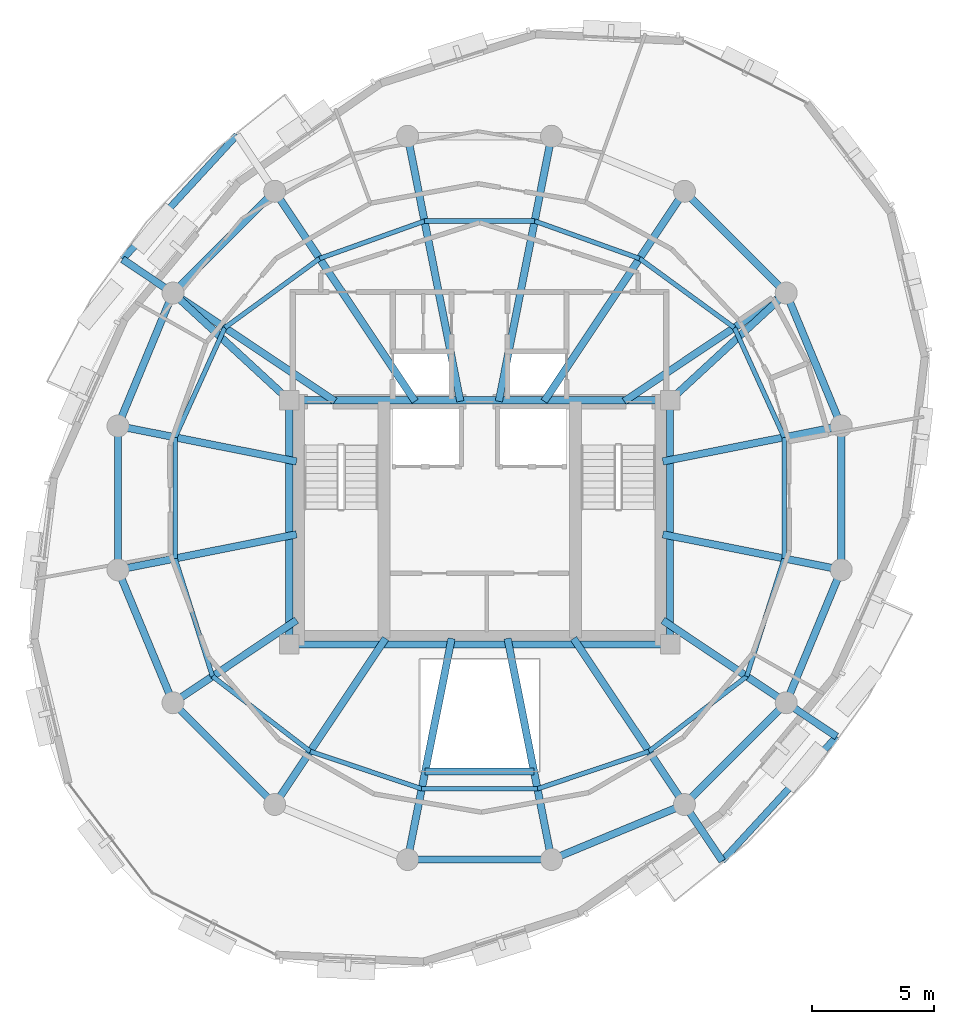
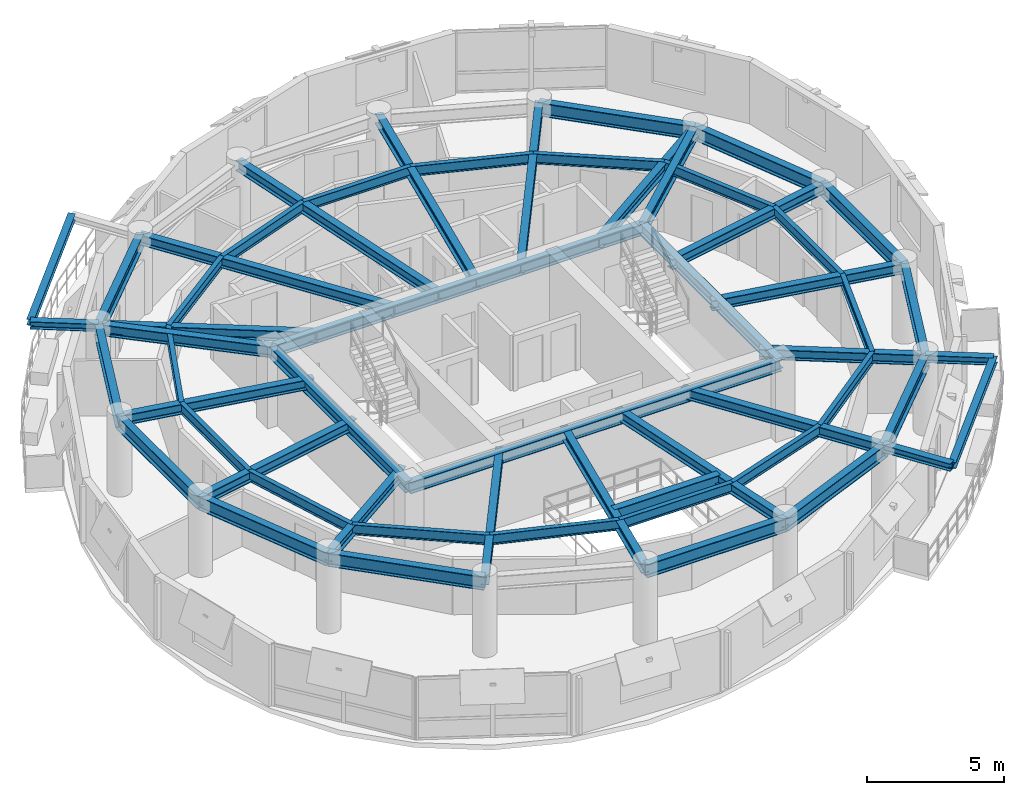
# One storey, part 3 of 11: 56 beams.
"""IFC4 building model written with IfcOpenShell, lengths in metres."""

from ifc_helpers import new_model, si_unit, direction, frame, origin, origin_2d, place, context, subcontext, project, spatial, i_section, extrude, material, material_profile, profile_set, type_object, element, save


model = new_model("IFC4")

# Units and contexts
model_context = context("Model", 3, precision=1e-05, world=origin(), true_north=direction((0.0, 1.0)))
body_context = subcontext(model_context, "Body", "Model", "MODEL_VIEW")
ifc_project = project(units=[si_unit("LENGTHUNIT", "METRE"), si_unit("AREAUNIT", "SQUARE_METRE"), si_unit("VOLUMEUNIT", "CUBIC_METRE"), si_unit("PLANEANGLEUNIT", "RADIAN"), si_unit("MASSUNIT", "GRAM", prefix="KILO"), si_unit("THERMODYNAMICTEMPERATUREUNIT", "KELVIN"), si_unit("POWERUNIT", "WATT")], contexts=[model_context])

# Site, building, storey
site_placement = place(None, origin())
site = spatial("IfcSite", under=ifc_project, at=site_placement, CompositionType="ELEMENT")
building_placement = place(site_placement, origin())
building = spatial("IfcBuilding", under=site, at=building_placement, Name="Ocrelia Relay Tower", CompositionType="ELEMENT")
storey_placement = place(building_placement, frame((0.0, 0.0, 241.199951171875)))
storey = spatial("IfcBuildingStorey", under=building, at=storey_placement, Name="L59", CompositionType="ELEMENT", Elevation=241.199951171875)

# Beams
ifc_material = material(Name="Steel S355", Category="steel")
ifc_material_profile_1 = material_profile(ifc_material, i_section(OverallWidth=0.280029296875, OverallDepth=0.27001953125, WebThickness=0.008056640625, FlangeThickness=0.012939453125, FilletRadius=0.02392578125, at=origin_2d()), Name="HEA 280")
ifc_profile_set_1 = profile_set([ifc_material_profile_1], Name="Steel S355")
beam_type_1 = type_object("IfcBeamType", Name="BM-HEA280", PredefinedType="BEAM", material=ifc_profile_set_1)
for number, where, z_axis, x_axis, name in (
    (1, (24.066162109375, 40.8671875, 3.2451171875), (-0.677058058221, -0.735929606551, 0.0), (0.735929606551, -0.677058058221, 0.0), "L60 Balcony Edge Trimmer Beam B1"),
    (2, (43.933837890625, 11.1328125, 3.2451171875), (0.677058058221, 0.735929606551, 0.0), (-0.735929606551, 0.677058058221, 0.0), "L60 Balcony Edge Trimmer Beam B2"),
):
    element("IfcBeam", number, at=place(storey_placement, frame(where, z_axis=z_axis, x_axis=x_axis)), inside=storey, type_object=beam_type_1, Name=name, PredefinedType="BEAM", context=body_context, shape_type="SweptSolid", body=[
        extrude(i_section(OverallWidth=0.280029296875, OverallDepth=0.27001953125, WebThickness=0.008056640625, FlangeThickness=0.012939453125, FilletRadius=0.02392578125, at=origin_2d()), origin(), (0.0, 0.0, 1.0), 6.925537109375),
    ])
ifc_material_profile_2 = material_profile(ifc_material, i_section(OverallWidth=0.300048828125, OverallDepth=0.330078125, WebThickness=0.009521484375, FlangeThickness=0.0166015625, FilletRadius=0.027099609375, at=origin_2d()), Name="HEA 340")
ifc_profile_set_2 = profile_set([ifc_material_profile_2], Name="Steel S355")
beam_type_2 = type_object("IfcBeamType", Name="BM-HEA340", PredefinedType="BEAM", material=ifc_profile_set_2)
beam_1_placement = place(storey_placement, frame((21.44482421875, 34.38916015625, 3.215087890625), z_axis=(-0.831506115499, 0.55551559824, 0.0), x_axis=(-0.55551559824, -0.831506115499, 0.0)))
element("IfcBeam", 3, at=beam_1_placement, inside=storey, type_object=beam_type_2, Name="L60 Balcony Cantilever Beam B1-2", PredefinedType="BEAM", context=body_context, shape_type="SweptSolid", body=[
    extrude(i_section(OverallWidth=0.300048828125, OverallDepth=0.330078125, WebThickness=0.009521484375, FlangeThickness=0.0166015625, FilletRadius=0.027099609375, at=origin_2d()), origin(), (0.0, 0.0, 1.0), 2.486572265625),
])
beam_2_placement = place(storey_placement, frame((42.38916015625, 13.44482421875, 3.215087890625), z_axis=(0.555530672833, -0.831496044213, 0.0), x_axis=(0.831496044213, 0.555530672833, 0.0)))
element("IfcBeam", 4, at=beam_2_placement, inside=storey, type_object=beam_type_2, Name="L60 Balcony Cantilever Beam B2-1", PredefinedType="BEAM", context=body_context, shape_type="SweptSolid", body=[
    extrude(i_section(OverallWidth=0.300048828125, OverallDepth=0.330078125, WebThickness=0.009521484375, FlangeThickness=0.0166015625, FilletRadius=0.027099609375, at=origin_2d()), origin(), (0.0, 0.0, 1.0), 2.780517578125),
])
beam_3_placement = place(storey_placement, frame((46.55517578125, 17.61083984375, 3.215087890625), z_axis=(0.831506115499, -0.55551559824, 0.0), x_axis=(0.55551559824, 0.831506115499, 0.0)))
element("IfcBeam", 5, at=beam_3_placement, inside=storey, type_object=beam_type_2, Name="L60 Balcony Cantilever Beam B2-2", PredefinedType="BEAM", context=body_context, shape_type="SweptSolid", body=[
    extrude(i_section(OverallWidth=0.300048828125, OverallDepth=0.330078125, WebThickness=0.009521484375, FlangeThickness=0.0166015625, FilletRadius=0.027099609375, at=origin_2d()), origin(), (0.0, 0.0, 1.0), 2.486572265625),
])
ifc_material_profile_3 = material_profile(ifc_material, i_section(OverallWidth=0.300048828125, OverallDepth=0.449951171875, WebThickness=0.013916015625, FlangeThickness=0.02587890625, FilletRadius=0.027099609375, at=origin_2d()), Name="HEB 450")
ifc_profile_set_3 = profile_set([ifc_material_profile_3], Name="Steel S355")
beam_type_3 = type_object("IfcBeamType", Name="BM-HEB450", PredefinedType="BEAM", material=ifc_profile_set_3)
beam_4_placement = place(storey_placement, frame((48.809814453125, 28.94580078125, 3.155029296875), z_axis=(-0.980789400571, -0.195069607393, 0.0), x_axis=(0.195069607393, -0.980789400571, 0.0)))
element("IfcBeam", 6, at=beam_4_placement, inside=storey, type_object=beam_type_3, Name="L59 Radial Floor Girder R01", PredefinedType="BEAM", context=body_context, shape_type="SweptSolid", body=[
    extrude(i_section(OverallWidth=0.300048828125, OverallDepth=0.449951171875, WebThickness=0.013916015625, FlangeThickness=0.02587890625, FilletRadius=0.027099609375, at=origin_2d()), origin(), (0.0, 0.0, 1.0), 7.447998046875),
])
beam_5_placement = place(storey_placement, frame((46.55517578125, 34.38916015625, 3.155029296875), z_axis=(-0.83146627118, -0.555575233331, 0.0), x_axis=(0.555575233331, -0.83146627118, 0.0)))
element("IfcBeam", 7, at=beam_5_placement, inside=storey, type_object=beam_type_3, Name="L59 Radial Floor Girder R02", PredefinedType="BEAM", context=body_context, shape_type="SweptSolid", body=[
    extrude(i_section(OverallWidth=0.300048828125, OverallDepth=0.449951171875, WebThickness=0.013916015625, FlangeThickness=0.02587890625, FilletRadius=0.027099609375, at=origin_2d()), origin(), (0.0, 0.0, 1.0), 7.98095703125),
])
beam_6_placement = place(storey_placement, frame((42.38916015625, 38.55517578125, 3.155029296875), z_axis=(-0.555582296999, -0.831461551283, 0.0), x_axis=(0.831461551283, -0.555582296999, 0.0)))
element("IfcBeam", 8, at=beam_6_placement, inside=storey, type_object=beam_type_3, Name="L59 Radial Floor Girder R03", PredefinedType="BEAM", context=body_context, shape_type="SweptSolid", body=[
    extrude(i_section(OverallWidth=0.300048828125, OverallDepth=0.449951171875, WebThickness=0.013916015625, FlangeThickness=0.02587890625, FilletRadius=0.027099609375, at=origin_2d()), origin(), (0.0, 0.0, 1.0), 10.34326171875),
])
for number, where, z_axis, x_axis, name in (
    (9, (36.94580078125, 40.809814453125, 3.155029296875), (-0.195093658495, -0.98078461673, 0.0), (0.98078461673, -0.195093658495, 0.0), "L59 Radial Floor Girder R04"),
    (10, (31.05419921875, 40.809814453125, 3.155029296875), (0.195093658495, -0.98078461673, 0.0), (0.98078461673, 0.195093658495, 0.0), "L59 Radial Floor Girder R05"),
):
    element("IfcBeam", number, at=place(storey_placement, frame(where, z_axis=z_axis, x_axis=x_axis)), inside=storey, type_object=beam_type_3, Name=name, PredefinedType="BEAM", context=body_context, shape_type="SweptSolid", body=[
        extrude(i_section(OverallWidth=0.300048828125, OverallDepth=0.449951171875, WebThickness=0.013916015625, FlangeThickness=0.02587890625, FilletRadius=0.027099609375, at=origin_2d()), origin(), (0.0, 0.0, 1.0), 11.0673828125),
    ])
beam_7_placement = place(storey_placement, frame((25.61083984375, 38.55517578125, 3.155029296875), z_axis=(0.555582296999, -0.831461551283, 0.0), x_axis=(0.831461551283, 0.555582296999, 0.0)))
element("IfcBeam", 11, at=beam_7_placement, inside=storey, type_object=beam_type_3, Name="L59 Radial Floor Girder R06", PredefinedType="BEAM", context=body_context, shape_type="SweptSolid", body=[
    extrude(i_section(OverallWidth=0.300048828125, OverallDepth=0.449951171875, WebThickness=0.013916015625, FlangeThickness=0.02587890625, FilletRadius=0.027099609375, at=origin_2d()), origin(), (0.0, 0.0, 1.0), 10.34326171875),
])
beam_8_placement = place(storey_placement, frame((21.44482421875, 34.38916015625, 3.155029296875), z_axis=(0.83146627118, -0.555575233331, 0.0), x_axis=(0.555575233331, 0.83146627118, 0.0)))
element("IfcBeam", 12, at=beam_8_placement, inside=storey, type_object=beam_type_3, Name="L59 Radial Floor Girder R07", PredefinedType="BEAM", context=body_context, shape_type="SweptSolid", body=[
    extrude(i_section(OverallWidth=0.300048828125, OverallDepth=0.449951171875, WebThickness=0.013916015625, FlangeThickness=0.02587890625, FilletRadius=0.027099609375, at=origin_2d()), origin(), (0.0, 0.0, 1.0), 7.98095703125),
])
for number, where, z_axis, x_axis, name in (
    (13, (19.190185546875, 28.94580078125, 3.155029296875), (0.980789122594, -0.195071005024, 0.0), (0.195071005024, 0.980789122594, 0.0), "L59 Radial Floor Girder R08"),
    (14, (19.190185546875, 23.05419921875, 3.155029296875), (0.980789122594, 0.195071005024, 0.0), (-0.195071005024, 0.980789122594, 0.0), "L59 Radial Floor Girder R09"),
):
    element("IfcBeam", number, at=place(storey_placement, frame(where, z_axis=z_axis, x_axis=x_axis)), inside=storey, type_object=beam_type_3, Name=name, PredefinedType="BEAM", context=body_context, shape_type="SweptSolid", body=[
        extrude(i_section(OverallWidth=0.300048828125, OverallDepth=0.449951171875, WebThickness=0.013916015625, FlangeThickness=0.02587890625, FilletRadius=0.027099609375, at=origin_2d()), origin(), (0.0, 0.0, 1.0), 7.4580078125),
    ])
beam_9_placement = place(storey_placement, frame((21.44482421875, 17.61083984375, 3.155029296875), z_axis=(0.831463505153, 0.555579372906, 0.0), x_axis=(-0.555579372906, 0.831463505153, 0.0)))
element("IfcBeam", 15, at=beam_9_placement, inside=storey, type_object=beam_type_3, Name="L59 Radial Floor Girder R10", PredefinedType="BEAM", context=body_context, shape_type="SweptSolid", body=[
    extrude(i_section(OverallWidth=0.300048828125, OverallDepth=0.449951171875, WebThickness=0.013916015625, FlangeThickness=0.02587890625, FilletRadius=0.027099609375, at=origin_2d()), origin(), (0.0, 0.0, 1.0), 6.085693359375),
])
beam_10_placement = place(storey_placement, frame((25.61083984375, 13.44482421875, 3.155029296875), z_axis=(0.555560991962, 0.831475786906, 0.0), x_axis=(-0.831475786906, 0.555560991962, 0.0)))
element("IfcBeam", 16, at=beam_10_placement, inside=storey, type_object=beam_type_3, Name="L59 Radial Floor Girder R11", PredefinedType="BEAM", context=body_context, shape_type="SweptSolid", body=[
    extrude(i_section(OverallWidth=0.300048828125, OverallDepth=0.449951171875, WebThickness=0.013916015625, FlangeThickness=0.02587890625, FilletRadius=0.027099609375, at=origin_2d()), origin(), (0.0, 0.0, 1.0), 8.178466796875),
])
for number, where, z_axis, x_axis, name in (
    (17, (31.05419921875, 11.190185546875, 3.155029296875), (0.195078600472, 0.98078761189, 0.0), (-0.98078761189, 0.195078600472, 0.0), "L59 Radial Floor Girder R12"),
    (18, (36.94580078125, 11.190185546875, 3.155029296875), (-0.195078600472, 0.98078761189, 0.0), (-0.98078761189, -0.195078600472, 0.0), "L59 Radial Floor Girder R13"),
):
    element("IfcBeam", number, at=place(storey_placement, frame(where, z_axis=z_axis, x_axis=x_axis)), inside=storey, type_object=beam_type_3, Name=name, PredefinedType="BEAM", context=body_context, shape_type="SweptSolid", body=[
        extrude(i_section(OverallWidth=0.300048828125, OverallDepth=0.449951171875, WebThickness=0.013916015625, FlangeThickness=0.02587890625, FilletRadius=0.027099609375, at=origin_2d()), origin(), (0.0, 0.0, 1.0), 9.232421875),
    ])
beam_11_placement = place(storey_placement, frame((42.38916015625, 13.44482421875, 3.155029296875), z_axis=(-0.555560991962, 0.831475786906, 0.0), x_axis=(-0.831475786906, -0.555560991962, 0.0)))
element("IfcBeam", 19, at=beam_11_placement, inside=storey, type_object=beam_type_3, Name="L59 Radial Floor Girder R14", PredefinedType="BEAM", context=body_context, shape_type="SweptSolid", body=[
    extrude(i_section(OverallWidth=0.300048828125, OverallDepth=0.449951171875, WebThickness=0.013916015625, FlangeThickness=0.02587890625, FilletRadius=0.027099609375, at=origin_2d()), origin(), (0.0, 0.0, 1.0), 8.178466796875),
])
beam_12_placement = place(storey_placement, frame((46.55517578125, 17.61083984375, 3.155029296875), z_axis=(-0.831468559595, 0.555571808504, 0.0), x_axis=(-0.555571808504, -0.831468559595, 0.0)))
element("IfcBeam", 20, at=beam_12_placement, inside=storey, type_object=beam_type_3, Name="L59 Radial Floor Girder R15", PredefinedType="BEAM", context=body_context, shape_type="SweptSolid", body=[
    extrude(i_section(OverallWidth=0.300048828125, OverallDepth=0.449951171875, WebThickness=0.013916015625, FlangeThickness=0.02587890625, FilletRadius=0.027099609375, at=origin_2d()), origin(), (0.0, 0.0, 1.0), 6.073974609375),
])
beam_13_placement = place(storey_placement, frame((48.809814453125, 23.05419921875, 3.155029296875), z_axis=(-0.980789400571, 0.195069607393, 0.0), x_axis=(-0.195069607393, -0.980789400571, 0.0)))
element("IfcBeam", 21, at=beam_13_placement, inside=storey, type_object=beam_type_3, Name="L59 Radial Floor Girder R16", PredefinedType="BEAM", context=body_context, shape_type="SweptSolid", body=[
    extrude(i_section(OverallWidth=0.300048828125, OverallDepth=0.449951171875, WebThickness=0.013916015625, FlangeThickness=0.02587890625, FilletRadius=0.027099609375, at=origin_2d()), origin(), (0.0, 0.0, 1.0), 7.447998046875),
])
ifc_material_profile_4 = material_profile(ifc_material, i_section(OverallWidth=0.300048828125, OverallDepth=0.5, WebThickness=0.014404296875, FlangeThickness=0.028076171875, FilletRadius=0.027099609375, at=origin_2d()), Name="HEB 500")
ifc_profile_set_4 = profile_set([ifc_material_profile_4], Name="Steel S355")
beam_type_4 = type_object("IfcBeamType", Name="BM-HEB500", PredefinedType="BEAM", material=ifc_profile_set_4)
for number, where, z_axis, x_axis, name in (
    (22, (26.199951171875, 20.0, 3.130126953125), (1.0, 0.0, 0.0), (0.0, 1.0, 0.0), "L59 Core Pilaster Tie Beam S"),
    (23, (26.199951171875, 30.0, 3.130126953125), (1.0, 0.0, 0.0), (0.0, 1.0, 0.0), "L59 Core Pilaster Tie Beam N"),
):
    element("IfcBeam", number, at=place(storey_placement, frame(where, z_axis=z_axis, x_axis=x_axis)), inside=storey, type_object=beam_type_4, Name=name, PredefinedType="BEAM", context=body_context, shape_type="SweptSolid", body=[
        extrude(i_section(OverallWidth=0.300048828125, OverallDepth=0.5, WebThickness=0.014404296875, FlangeThickness=0.028076171875, FilletRadius=0.027099609375, at=origin_2d()), origin(), (0.0, 0.0, 1.0), 15.60009765625),
    ])
for number, where, z_axis, x_axis, name in (
    (24, (26.199951171875, 20.0, 3.130126953125), (0.0, 1.0, 0.0), (-1.0, 0.0, 0.0), "L59 Core Pilaster Tie Beam W"),
    (25, (41.800048828125, 20.0, 3.130126953125), (0.0, 1.0, 0.0), (-1.0, 0.0, 0.0), "L59 Core Pilaster Tie Beam E"),
):
    element("IfcBeam", number, at=place(storey_placement, frame(where, z_axis=z_axis, x_axis=x_axis)), inside=storey, type_object=beam_type_4, Name=name, PredefinedType="BEAM", context=body_context, shape_type="SweptSolid", body=[
        extrude(i_section(OverallWidth=0.300048828125, OverallDepth=0.5, WebThickness=0.014404296875, FlangeThickness=0.028076171875, FilletRadius=0.027099609375, at=origin_2d()), origin(), (0.0, 0.0, 1.0), 10.0),
    ])
for number, where, z_axis, x_axis, name in (
    (26, (46.55517578125, 34.38916015625, 3.130126953125), (-0.734817908666, -0.678264433023, 0.0), (0.678264433023, -0.734817908666, 0.0), "L59 Core Pilaster Frame Tie Beam PT02"),
    (27, (21.44482421875, 34.38916015625, 3.130126953125), (0.734817908666, -0.678264433023, 0.0), (0.678264433023, 0.734817908666, 0.0), "L59 Core Pilaster Frame Tie Beam PT07"),
):
    element("IfcBeam", number, at=place(storey_placement, frame(where, z_axis=z_axis, x_axis=x_axis)), inside=storey, type_object=beam_type_4, Name=name, PredefinedType="BEAM", context=body_context, shape_type="SweptSolid", body=[
        extrude(i_section(OverallWidth=0.300048828125, OverallDepth=0.5, WebThickness=0.014404296875, FlangeThickness=0.028076171875, FilletRadius=0.027099609375, at=origin_2d()), origin(), (0.0, 0.0, 1.0), 6.47119140625),
    ])
ifc_material_profile_5 = material_profile(ifc_material, i_section(OverallWidth=0.300048828125, OverallDepth=0.550048828125, WebThickness=0.014892578125, FlangeThickness=0.029052734375, FilletRadius=0.027099609375, at=origin_2d()), Name="HEB 550")
ifc_profile_set_5 = profile_set([ifc_material_profile_5], Name="Steel S355")
beam_type_5 = type_object("IfcBeamType", Name="BM-HEB550", PredefinedType="BEAM", material=ifc_profile_set_5)
beam_14_placement = place(storey_placement, frame((31.772216796875, 14.800048828125, 3.10498046875), z_axis=(1.0, 0.0, 0.0), x_axis=(0.0, 1.0, 0.0)))
element("IfcBeam", 28, at=beam_14_placement, inside=storey, type_object=beam_type_5, Name="L59 Atrium South Trimmer Beam", PredefinedType="BEAM", context=body_context, shape_type="SweptSolid", body=[
    extrude(i_section(OverallWidth=0.300048828125, OverallDepth=0.550048828125, WebThickness=0.014892578125, FlangeThickness=0.029052734375, FilletRadius=0.027099609375, at=origin_2d()), origin(), (0.0, 0.0, 1.0), 4.45556640625),
])
ifc_material_profile_6 = material_profile(ifc_material, i_section(OverallWidth=0.300048828125, OverallDepth=0.60009765625, WebThickness=0.015380859375, FlangeThickness=0.030029296875, FilletRadius=0.027099609375, at=origin_2d()), Name="HEB 600")
ifc_profile_set_6 = profile_set([ifc_material_profile_6], Name="Steel S355")
beam_type_6 = type_object("IfcBeamType", Name="BM-HEB600", PredefinedType="BEAM", material=ifc_profile_set_6)
beam_15_placement = place(storey_placement, frame((48.809814453125, 28.94580078125, 3.080078125), z_axis=(-0.382672624084, 0.923884009374, 0.0), x_axis=(-0.923884009374, -0.382672624084, 0.0)))
element("IfcBeam", 29, at=beam_15_placement, inside=storey, type_object=beam_type_6, Name="L59 Perimeter Spandrel Beam S01", PredefinedType="BEAM", context=body_context, shape_type="SweptSolid", body=[
    extrude(i_section(OverallWidth=0.300048828125, OverallDepth=0.60009765625, WebThickness=0.015380859375, FlangeThickness=0.030029296875, FilletRadius=0.027099609375, at=origin_2d()), origin(), (0.0, 0.0, 1.0), 5.891845703125),
])
for number, where, z_axis, x_axis, name in (
    (30, (46.55517578125, 34.38916015625, 3.080078125), (-0.707106781187, 0.707106781187, 0.0), (-0.707106781187, -0.707106781187, 0.0), "L59 Perimeter Spandrel Beam S02"),
    (31, (25.61083984375, 38.55517578125, 3.080078125), (-0.707106781187, -0.707106781187, 0.0), (0.707106781187, -0.707106781187, 0.0), "L59 Perimeter Spandrel Beam S06"),
):
    element("IfcBeam", number, at=place(storey_placement, frame(where, z_axis=z_axis, x_axis=x_axis)), inside=storey, type_object=beam_type_6, Name=name, PredefinedType="BEAM", context=body_context, shape_type="SweptSolid", body=[
        extrude(i_section(OverallWidth=0.300048828125, OverallDepth=0.60009765625, WebThickness=0.015380859375, FlangeThickness=0.030029296875, FilletRadius=0.027099609375, at=origin_2d()), origin(), (0.0, 0.0, 1.0), 5.8916015625),
    ])
beam_16_placement = place(storey_placement, frame((21.44482421875, 34.38916015625, 3.080078125), z_axis=(-0.382672624084, -0.923884009374, 0.0), x_axis=(0.923884009374, -0.382672624084, 0.0)))
element("IfcBeam", 32, at=beam_16_placement, inside=storey, type_object=beam_type_6, Name="L59 Perimeter Spandrel Beam S07", PredefinedType="BEAM", context=body_context, shape_type="SweptSolid", body=[
    extrude(i_section(OverallWidth=0.300048828125, OverallDepth=0.60009765625, WebThickness=0.015380859375, FlangeThickness=0.030029296875, FilletRadius=0.027099609375, at=origin_2d()), origin(), (0.0, 0.0, 1.0), 5.891845703125),
])
beam_17_placement = place(storey_placement, frame((19.190185546875, 28.94580078125, 3.080078125), z_axis=(0.0, -1.0, 0.0), x_axis=(1.0, 0.0, 0.0)))
element("IfcBeam", 33, at=beam_17_placement, inside=storey, type_object=beam_type_6, Name="L59 Perimeter Spandrel Beam S08", PredefinedType="BEAM", context=body_context, shape_type="SweptSolid", body=[
    extrude(i_section(OverallWidth=0.300048828125, OverallDepth=0.60009765625, WebThickness=0.015380859375, FlangeThickness=0.030029296875, FilletRadius=0.027099609375, at=origin_2d()), origin(), (0.0, 0.0, 1.0), 5.8916015625),
])
beam_18_placement = place(storey_placement, frame((19.190185546875, 23.05419921875, 3.080078125), z_axis=(0.382672624084, -0.923884009374, 0.0), x_axis=(0.923884009374, 0.382672624084, 0.0)))
element("IfcBeam", 34, at=beam_18_placement, inside=storey, type_object=beam_type_6, Name="L59 Perimeter Spandrel Beam S09", PredefinedType="BEAM", context=body_context, shape_type="SweptSolid", body=[
    extrude(i_section(OverallWidth=0.300048828125, OverallDepth=0.60009765625, WebThickness=0.015380859375, FlangeThickness=0.030029296875, FilletRadius=0.027099609375, at=origin_2d()), origin(), (0.0, 0.0, 1.0), 5.891845703125),
])
for number, where, z_axis, x_axis, name in (
    (35, (21.44482421875, 17.61083984375, 3.080078125), (0.707106781187, -0.707106781187, 0.0), (0.707106781187, 0.707106781187, 0.0), "L59 Perimeter Spandrel Beam S10"),
    (36, (31.05419921875, 11.190185546875, 3.080078125), (1.0, 0.0, 0.0), (0.0, 1.0, 0.0), "L59 Perimeter Spandrel Beam S12"),
):
    element("IfcBeam", number, at=place(storey_placement, frame(where, z_axis=z_axis, x_axis=x_axis)), inside=storey, type_object=beam_type_6, Name=name, PredefinedType="BEAM", context=body_context, shape_type="SweptSolid", body=[
        extrude(i_section(OverallWidth=0.300048828125, OverallDepth=0.60009765625, WebThickness=0.015380859375, FlangeThickness=0.030029296875, FilletRadius=0.027099609375, at=origin_2d()), origin(), (0.0, 0.0, 1.0), 5.8916015625),
    ])
beam_19_placement = place(storey_placement, frame((36.94580078125, 11.190185546875, 3.080078125), z_axis=(0.923884009374, 0.382672624084, 0.0), x_axis=(-0.382672624084, 0.923884009374, 0.0)))
element("IfcBeam", 37, at=beam_19_placement, inside=storey, type_object=beam_type_6, Name="L59 Perimeter Spandrel Beam S13", PredefinedType="BEAM", context=body_context, shape_type="SweptSolid", body=[
    extrude(i_section(OverallWidth=0.300048828125, OverallDepth=0.60009765625, WebThickness=0.015380859375, FlangeThickness=0.030029296875, FilletRadius=0.027099609375, at=origin_2d()), origin(), (0.0, 0.0, 1.0), 5.891845703125),
])
beam_20_placement = place(storey_placement, frame((42.38916015625, 13.44482421875, 3.080078125), z_axis=(0.707106781187, 0.707106781187, 0.0), x_axis=(-0.707106781187, 0.707106781187, 0.0)))
element("IfcBeam", 38, at=beam_20_placement, inside=storey, type_object=beam_type_6, Name="L59 Perimeter Spandrel Beam S14", PredefinedType="BEAM", context=body_context, shape_type="SweptSolid", body=[
    extrude(i_section(OverallWidth=0.300048828125, OverallDepth=0.60009765625, WebThickness=0.015380859375, FlangeThickness=0.030029296875, FilletRadius=0.027099609375, at=origin_2d()), origin(), (0.0, 0.0, 1.0), 5.8916015625),
])
beam_21_placement = place(storey_placement, frame((46.55517578125, 17.61083984375, 3.080078125), z_axis=(0.382672624084, 0.923884009374, 0.0), x_axis=(-0.923884009374, 0.382672624084, 0.0)))
element("IfcBeam", 39, at=beam_21_placement, inside=storey, type_object=beam_type_6, Name="L59 Perimeter Spandrel Beam S15", PredefinedType="BEAM", context=body_context, shape_type="SweptSolid", body=[
    extrude(i_section(OverallWidth=0.300048828125, OverallDepth=0.60009765625, WebThickness=0.015380859375, FlangeThickness=0.030029296875, FilletRadius=0.027099609375, at=origin_2d()), origin(), (0.0, 0.0, 1.0), 5.891845703125),
])
beam_22_placement = place(storey_placement, frame((48.809814453125, 23.05419921875, 3.080078125), z_axis=(0.0, 1.0, 0.0), x_axis=(-1.0, 0.0, 0.0)))
element("IfcBeam", 40, at=beam_22_placement, inside=storey, type_object=beam_type_6, Name="L59 Perimeter Spandrel Beam S16", PredefinedType="BEAM", context=body_context, shape_type="SweptSolid", body=[
    extrude(i_section(OverallWidth=0.300048828125, OverallDepth=0.60009765625, WebThickness=0.015380859375, FlangeThickness=0.030029296875, FilletRadius=0.027099609375, at=origin_2d()), origin(), (0.0, 0.0, 1.0), 5.8916015625),
])
ifc_material_profile_7 = material_profile(ifc_material, i_section(OverallWidth=0.18994140625, OverallDepth=0.449951171875, WebThickness=0.009521484375, FlangeThickness=0.0146484375, FilletRadius=0.02099609375, at=origin_2d()), Name="IPE 450")
ifc_profile_set_7 = profile_set([ifc_material_profile_7], Name="Steel S355")
beam_type_7 = type_object("IfcBeamType", Name="BM-IPE450", PredefinedType="JOIST", material=ifc_profile_set_7)
beam_23_placement = place(storey_placement, frame((46.472412109375, 28.48095703125, 3.155029296875), z_axis=(-0.413836514443, 0.91035121756, 0.0), x_axis=(-0.91035121756, -0.413836514443, 0.0)))
element("IfcBeam", 41, at=beam_23_placement, inside=storey, type_object=beam_type_7, Name="L59 Secondary Floor Joist J01", PredefinedType="JOIST", context=body_context, shape_type="SweptSolid", body=[
    extrude(i_section(OverallWidth=0.18994140625, OverallDepth=0.449951171875, WebThickness=0.009521484375, FlangeThickness=0.0146484375, FilletRadius=0.02099609375, at=origin_2d()), origin(), (0.0, 0.0, 1.0), 4.931396484375),
])
beam_24_placement = place(storey_placement, frame((44.431640625, 32.97021484375, 3.155029296875), z_axis=(-0.80774844416, 0.58952731146, 0.0), x_axis=(-0.58952731146, -0.80774844416, 0.0)))
element("IfcBeam", 42, at=beam_24_placement, inside=storey, type_object=beam_type_7, Name="L59 Secondary Floor Joist J02", PredefinedType="JOIST", context=body_context, shape_type="SweptSolid", body=[
    extrude(i_section(OverallWidth=0.18994140625, OverallDepth=0.449951171875, WebThickness=0.009521484375, FlangeThickness=0.0146484375, FilletRadius=0.02099609375, at=origin_2d()), origin(), (0.0, 0.0, 1.0), 4.80517578125),
])
beam_25_placement = place(storey_placement, frame((40.55029296875, 35.802978515625, 3.155029296875), z_axis=(-0.94180245035, 0.336166840298, 0.0), x_axis=(-0.336166840298, -0.94180245035, 0.0)))
element("IfcBeam", 43, at=beam_25_placement, inside=storey, type_object=beam_type_7, Name="L59 Secondary Floor Joist J03", PredefinedType="JOIST", context=body_context, shape_type="SweptSolid", body=[
    extrude(i_section(OverallWidth=0.18994140625, OverallDepth=0.449951171875, WebThickness=0.009521484375, FlangeThickness=0.0146484375, FilletRadius=0.02099609375, at=origin_2d()), origin(), (0.0, 0.0, 1.0), 4.560791015625),
])
beam_26_placement = place(storey_placement, frame((36.2548828125, 37.336181640625, 3.155029296875), z_axis=(-1.0, 0.0, 0.0), x_axis=(0.0, -1.0, 0.0)))
element("IfcBeam", 44, at=beam_26_placement, inside=storey, type_object=beam_type_7, Name="L59 Secondary Floor Joist J04", PredefinedType="JOIST", context=body_context, shape_type="SweptSolid", body=[
    extrude(i_section(OverallWidth=0.18994140625, OverallDepth=0.449951171875, WebThickness=0.009521484375, FlangeThickness=0.0146484375, FilletRadius=0.02099609375, at=origin_2d()), origin(), (0.0, 0.0, 1.0), 4.509765625),
])
beam_27_placement = place(storey_placement, frame((31.7451171875, 37.336181640625, 3.155029296875), z_axis=(-0.94180245035, -0.336166840298, 0.0), x_axis=(0.336166840298, -0.94180245035, 0.0)))
element("IfcBeam", 45, at=beam_27_placement, inside=storey, type_object=beam_type_7, Name="L59 Secondary Floor Joist J05", PredefinedType="JOIST", context=body_context, shape_type="SweptSolid", body=[
    extrude(i_section(OverallWidth=0.18994140625, OverallDepth=0.449951171875, WebThickness=0.009521484375, FlangeThickness=0.0146484375, FilletRadius=0.02099609375, at=origin_2d()), origin(), (0.0, 0.0, 1.0), 4.560791015625),
])
beam_28_placement = place(storey_placement, frame((27.44970703125, 35.802978515625, 3.155029296875), z_axis=(-0.80774844416, -0.58952731146, 0.0), x_axis=(0.58952731146, -0.80774844416, 0.0)))
element("IfcBeam", 46, at=beam_28_placement, inside=storey, type_object=beam_type_7, Name="L59 Secondary Floor Joist J06", PredefinedType="JOIST", context=body_context, shape_type="SweptSolid", body=[
    extrude(i_section(OverallWidth=0.18994140625, OverallDepth=0.449951171875, WebThickness=0.009521484375, FlangeThickness=0.0146484375, FilletRadius=0.02099609375, at=origin_2d()), origin(), (0.0, 0.0, 1.0), 4.80517578125),
])
beam_29_placement = place(storey_placement, frame((23.568359375, 32.97021484375, 3.155029296875), z_axis=(-0.413205957462, -0.910637599003, 0.0), x_axis=(0.910637599003, -0.413205957462, 0.0)))
element("IfcBeam", 47, at=beam_29_placement, inside=storey, type_object=beam_type_7, Name="L59 Secondary Floor Joist J07", PredefinedType="JOIST", context=body_context, shape_type="SweptSolid", body=[
    extrude(i_section(OverallWidth=0.18994140625, OverallDepth=0.449951171875, WebThickness=0.009521484375, FlangeThickness=0.0146484375, FilletRadius=0.02099609375, at=origin_2d()), origin(), (0.0, 0.0, 1.0), 4.9306640625),
])
beam_30_placement = place(storey_placement, frame((21.531005859375, 28.480224609375, 3.155029296875), z_axis=(0.0, -1.0, 0.0), x_axis=(1.0, 0.0, 0.0)))
element("IfcBeam", 48, at=beam_30_placement, inside=storey, type_object=beam_type_7, Name="L59 Secondary Floor Joist J08", PredefinedType="JOIST", context=body_context, shape_type="SweptSolid", body=[
    extrude(i_section(OverallWidth=0.18994140625, OverallDepth=0.449951171875, WebThickness=0.009521484375, FlangeThickness=0.0146484375, FilletRadius=0.02099609375, at=origin_2d()), origin(), (0.0, 0.0, 1.0), 4.96044921875),
])
beam_31_placement = place(storey_placement, frame((21.531005859375, 23.519775390625, 3.155029296875), z_axis=(0.302732054046, -0.953075707094, 0.0), x_axis=(0.953075707094, 0.302732054046, 0.0)))
element("IfcBeam", 49, at=beam_31_placement, inside=storey, type_object=beam_type_7, Name="L59 Secondary Floor Joist J09", PredefinedType="JOIST", context=body_context, shape_type="SweptSolid", body=[
    extrude(i_section(OverallWidth=0.18994140625, OverallDepth=0.449951171875, WebThickness=0.009521484375, FlangeThickness=0.0146484375, FilletRadius=0.02099609375, at=origin_2d()), origin(), (0.0, 0.0, 1.0), 5.064453125),
])
beam_32_placement = place(storey_placement, frame((23.064208984375, 18.69287109375, 3.155029296875), z_axis=(0.793147291367, -0.60902986314, 0.0), x_axis=(0.60902986314, 0.793147291367, 0.0)))
element("IfcBeam", 50, at=beam_32_placement, inside=storey, type_object=beam_type_7, Name="L59 Secondary Floor Joist J10", PredefinedType="JOIST", context=body_context, shape_type="SweptSolid", body=[
    extrude(i_section(OverallWidth=0.18994140625, OverallDepth=0.449951171875, WebThickness=0.009521484375, FlangeThickness=0.0146484375, FilletRadius=0.02099609375, at=origin_2d()), origin(), (0.0, 0.0, 1.0), 5.044189453125),
])
beam_33_placement = place(storey_placement, frame((27.06494140625, 15.620849609375, 3.155029296875), z_axis=(0.947976335242, -0.318340804519, 0.0), x_axis=(0.318340804519, 0.947976335242, 0.0)))
element("IfcBeam", 51, at=beam_33_placement, inside=storey, type_object=beam_type_7, Name="L59 Secondary Floor Joist J11", PredefinedType="JOIST", context=body_context, shape_type="SweptSolid", body=[
    extrude(i_section(OverallWidth=0.18994140625, OverallDepth=0.449951171875, WebThickness=0.009521484375, FlangeThickness=0.0146484375, FilletRadius=0.02099609375, at=origin_2d()), origin(), (0.0, 0.0, 1.0), 4.816162109375),
])
beam_34_placement = place(storey_placement, frame((31.630615234375, 14.087646484375, 3.155029296875), z_axis=(1.0, 0.0, 0.0), x_axis=(0.0, 1.0, 0.0)))
element("IfcBeam", 52, at=beam_34_placement, inside=storey, type_object=beam_type_7, Name="L59 Secondary Floor Joist J12", PredefinedType="JOIST", context=body_context, shape_type="SweptSolid", body=[
    extrude(i_section(OverallWidth=0.18994140625, OverallDepth=0.449951171875, WebThickness=0.009521484375, FlangeThickness=0.0146484375, FilletRadius=0.02099609375, at=origin_2d()), origin(), (0.0, 0.0, 1.0), 4.73876953125),
])
beam_35_placement = place(storey_placement, frame((36.369384765625, 14.087646484375, 3.155029296875), z_axis=(0.947976335242, 0.318340804519, 0.0), x_axis=(-0.318340804519, 0.947976335242, 0.0)))
element("IfcBeam", 53, at=beam_35_placement, inside=storey, type_object=beam_type_7, Name="L59 Secondary Floor Joist J13", PredefinedType="JOIST", context=body_context, shape_type="SweptSolid", body=[
    extrude(i_section(OverallWidth=0.18994140625, OverallDepth=0.449951171875, WebThickness=0.009521484375, FlangeThickness=0.0146484375, FilletRadius=0.02099609375, at=origin_2d()), origin(), (0.0, 0.0, 1.0), 4.816162109375),
])
beam_36_placement = place(storey_placement, frame((40.93505859375, 15.620849609375, 3.155029296875), z_axis=(0.793608697717, 0.608428496134, 0.0), x_axis=(-0.608428496134, 0.793608697717, 0.0)))
element("IfcBeam", 54, at=beam_36_placement, inside=storey, type_object=beam_type_7, Name="L59 Secondary Floor Joist J14", PredefinedType="JOIST", context=body_context, shape_type="SweptSolid", body=[
    extrude(i_section(OverallWidth=0.18994140625, OverallDepth=0.449951171875, WebThickness=0.009521484375, FlangeThickness=0.0146484375, FilletRadius=0.02099609375, at=origin_2d()), origin(), (0.0, 0.0, 1.0), 5.04541015625),
])
beam_37_placement = place(storey_placement, frame((44.939208984375, 18.690673828125, 3.155029296875), z_axis=(0.302648624063, 0.953102203519, 0.0), x_axis=(-0.953102203519, 0.302648624063, 0.0)))
element("IfcBeam", 55, at=beam_37_placement, inside=storey, type_object=beam_type_7, Name="L59 Secondary Floor Joist J15", PredefinedType="JOIST", context=body_context, shape_type="SweptSolid", body=[
    extrude(i_section(OverallWidth=0.18994140625, OverallDepth=0.449951171875, WebThickness=0.009521484375, FlangeThickness=0.0146484375, FilletRadius=0.02099609375, at=origin_2d()), origin(), (0.0, 0.0, 1.0), 5.06591796875),
])
beam_38_placement = place(storey_placement, frame((46.472412109375, 23.51904296875, 3.155029296875), z_axis=(0.0, 1.0, 0.0), x_axis=(-1.0, 0.0, 0.0)))
element("IfcBeam", 56, at=beam_38_placement, inside=storey, type_object=beam_type_7, Name="L59 Secondary Floor Joist J16", PredefinedType="JOIST", context=body_context, shape_type="SweptSolid", body=[
    extrude(i_section(OverallWidth=0.18994140625, OverallDepth=0.449951171875, WebThickness=0.009521484375, FlangeThickness=0.0146484375, FilletRadius=0.02099609375, at=origin_2d()), origin(), (0.0, 0.0, 1.0), 4.9619140625),
])

save(model, "model.ifc")
